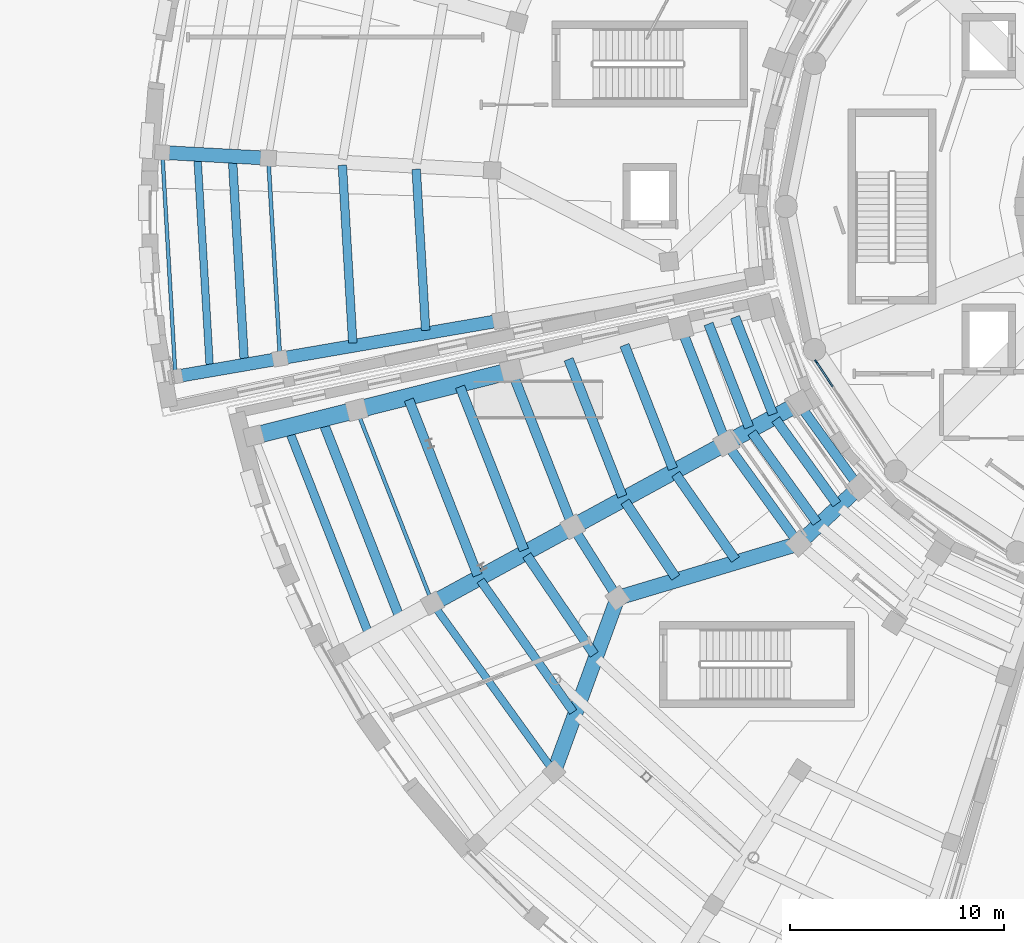
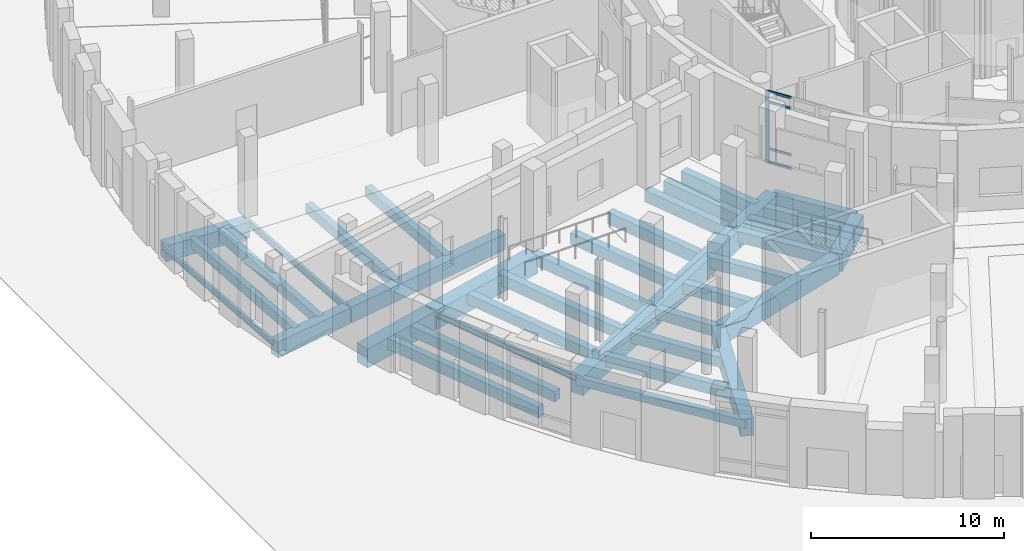
# One storey, part 11 of 74: 38 beams, 5 members, 1 element without a shape of its own.
"""IFC4 building model written with IfcOpenShell, lengths in metres."""

from ifc_helpers import new_model, si_unit, direction, frame, origin, origin_2d, place, context, subcontext, project, spatial, rectangle, i_section, extrude, material, material_profile, profile_set, type_object, element, aggregate, save


model = new_model("IFC4")

# Units and contexts
model_context = context("Model", 3, precision=1e-05, world=origin(), true_north=direction((0.0, 1.0)))
body_context = subcontext(model_context, "Body", "Model", "MODEL_VIEW")
ifc_project = project(units=[si_unit("LENGTHUNIT", "METRE"), si_unit("AREAUNIT", "SQUARE_METRE"), si_unit("VOLUMEUNIT", "CUBIC_METRE"), si_unit("PLANEANGLEUNIT", "RADIAN"), si_unit("MASSUNIT", "GRAM", prefix="KILO")], contexts=[model_context])

# Site, building, storey
site_placement = place(None, origin())
site = spatial("IfcSite", under=ifc_project, at=site_placement, CompositionType="ELEMENT")
building_placement = place(site_placement, origin())
building = spatial("IfcBuilding", under=site, at=building_placement, Name="Soyqirgoq Riverine Aquarium", CompositionType="ELEMENT")
storey_placement = place(building_placement, origin())
storey = spatial("IfcBuildingStorey", under=building, at=storey_placement, Name="L01", CompositionType="ELEMENT", Elevation=0.0)

# Beams
ifc_material_1 = material(Name="Concrete C40/50", Category="concrete")
ifc_material_profile_1 = material_profile(ifc_material_1, rectangle(XDim=0.35009765625, YDim=0.60009765625, at=origin_2d()), Name="RC 350x600")
ifc_profile_set_1 = profile_set([ifc_material_profile_1], Name="Concrete C40/50")
beam_type_1 = type_object("IfcBeamType", Name="Beam_RC_350x600", PredefinedType="JOIST", material=ifc_profile_set_1)
beam_1_placement = place(storey_placement, frame((11.107421875, 59.2919921875, -0.64990234375), z_axis=(0.05843353291, -0.99829130129, 0.0), x_axis=(0.99829130129, 0.05843353291, 0.0)))
element("IfcBeam", 1, at=beam_1_placement, inside=storey, type_object=beam_type_1, Name="V3 L01 Secondary Floor Joist 0353", PredefinedType="JOIST", context=body_context, shape_type="SweptSolid", body=[
    extrude(rectangle(XDim=0.35009765625, YDim=0.60009765625, at=origin_2d()), origin(), (0.0, 0.0, 1.0), 9.82275390625),
])
ifc_material_2 = material(Name="Concrete C40/50", Category="concrete")
ifc_material_profile_2 = material_profile(ifc_material_2, rectangle(XDim=0.39990234375, YDim=0.60009765625, at=origin_2d()), Name="RC 400x600")
ifc_profile_set_2 = profile_set([ifc_material_profile_2], Name="Concrete C40/50")
beam_type_2 = type_object("IfcBeamType", Name="Beam_RC_400x600", PredefinedType="JOIST", material=ifc_profile_set_2)
beam_2_placement = place(storey_placement, frame((17.862548828125, 58.92626953125, -0.64990234375), z_axis=(0.058454850399, -0.998290053273, 0.0), x_axis=(0.998290053273, 0.058454850399, 0.0)))
element("IfcBeam", 2, at=beam_2_placement, inside=storey, type_object=beam_type_2, Name="V3 L01 Secondary Floor Joist 0341", PredefinedType="JOIST", context=body_context, shape_type="SweptSolid", body=[
    extrude(rectangle(XDim=0.39990234375, YDim=0.60009765625, at=origin_2d()), origin(), (0.0, 0.0, 1.0), 8.302978515625),
])
beam_3_placement = place(storey_placement, frame((12.738525390625, 59.20361328125, -0.64990234375), z_axis=(0.05845563255, -0.998290007474, 0.0), x_axis=(0.998290007474, 0.05845563255, 0.0)))
element("IfcBeam", 3, at=beam_3_placement, inside=storey, type_object=beam_type_2, Name="V3 L01 Secondary Floor Joist 0352", PredefinedType="JOIST", context=body_context, shape_type="SweptSolid", body=[
    extrude(rectangle(XDim=0.39990234375, YDim=0.60009765625, at=origin_2d()), origin(), (0.0, 0.0, 1.0), 9.45556640625),
])
ifc_material_3 = material(Name="Concrete C40/50", Category="concrete")
ifc_material_profile_3 = material_profile(ifc_material_3, rectangle(XDim=0.39990234375, YDim=0.64990234375, at=origin_2d()), Name="RC 400x650")
ifc_profile_set_3 = profile_set([ifc_material_profile_3], Name="Concrete C40/50")
beam_type_3 = type_object("IfcBeamType", Name="Beam_RC_400x650", PredefinedType="BEAM", material=ifc_profile_set_3)
beam_4_placement = place(storey_placement, frame((21.305908203125, 58.73974609375, -0.675048828125), z_axis=(0.058472972922, -0.998288991945, 0.0), x_axis=(0.998288991945, 0.058472972922, 0.0)))
element("IfcBeam", 4, at=beam_4_placement, inside=storey, type_object=beam_type_3, Name="V3 L01 Secondary Floor Joist 0340", PredefinedType="BEAM", context=body_context, shape_type="SweptSolid", body=[
    extrude(rectangle(XDim=0.39990234375, YDim=0.64990234375, at=origin_2d()), origin(), (0.0, 0.0, 1.0), 7.528076171875),
])
ifc_material_4 = material(Name="Concrete C40/50", Category="concrete")
ifc_material_profile_4 = material_profile(ifc_material_4, rectangle(XDim=0.39990234375, YDim=0.699951171875, at=origin_2d()), Name="RC 400x700")
ifc_profile_set_4 = profile_set([ifc_material_profile_4], Name="Concrete C40/50")
beam_type_4 = type_object("IfcBeamType", Name="Beam_RC_400x700", PredefinedType="BEAM", material=ifc_profile_set_4)
beam_5_placement = place(storey_placement, frame((24.30517578125, 39.56103515625, -0.699951171875), z_axis=(0.576465973635, -0.817121154567, 0.0), x_axis=(0.817121154567, 0.576465973635, 0.0)))
element("IfcBeam", 5, at=beam_5_placement, inside=storey, type_object=beam_type_4, Name="V2 L01 Secondary Floor Joist 0215", PredefinedType="BEAM", context=body_context, shape_type="SweptSolid", body=[
    extrude(rectangle(XDim=0.39990234375, YDim=0.699951171875, at=origin_2d()), origin(), (0.0, 0.0, 1.0), 7.502197265625),
])
beam_6_placement = place(storey_placement, frame((15.366943359375, 46.574951171875, -0.699951171875), z_axis=(0.364865878453, -0.931060089758, 0.0), x_axis=(0.931060089758, 0.364865878453, 0.0)))
element("IfcBeam", 6, at=beam_6_placement, inside=storey, type_object=beam_type_4, Name="V2 L01 Secondary Floor Joist 0225", PredefinedType="BEAM", context=body_context, shape_type="SweptSolid", body=[
    extrude(rectangle(XDim=0.39990234375, YDim=0.699951171875, at=origin_2d()), origin(), (0.0, 0.0, 1.0), 10.239501953125),
])
ifc_material_5 = material(Name="Concrete C40/50", Category="concrete")
ifc_material_profile_5 = material_profile(ifc_material_5, rectangle(XDim=0.449951171875, YDim=0.64990234375, at=origin_2d()), Name="RC 450x650")
ifc_profile_set_5 = profile_set([ifc_material_profile_5], Name="Concrete C40/50")
beam_type_5 = type_object("IfcBeamType", Name="Beam_RC_450x650", PredefinedType="BEAM", material=ifc_profile_set_5)
beam_7_placement = place(storey_placement, frame((31.0458984375, 43.23583984375, -0.675048828125), z_axis=(0.555071349351, -0.831802739314, 0.0), x_axis=(0.831802739314, 0.555071349351, 0.0)))
element("IfcBeam", 7, at=beam_7_placement, inside=storey, type_object=beam_type_5, Name="V2 L01 Secondary Floor Joist 0208", PredefinedType="BEAM", context=body_context, shape_type="SweptSolid", body=[
    extrude(rectangle(XDim=0.449951171875, YDim=0.64990234375, at=origin_2d()), origin(), (0.0, 0.0, 1.0), 4.249755859375),
])
beam_8_placement = place(storey_placement, frame((28.633544921875, 42.0224609375, -0.675048828125), z_axis=(0.532881102814, -0.846190126546, 0.0), x_axis=(0.846190126546, 0.532881102814, 0.0)))
element("IfcBeam", 8, at=beam_8_placement, inside=storey, type_object=beam_type_5, Name="V2 L01 Wedge Chord Beam 0210", PredefinedType="BEAM", context=body_context, shape_type="SweptSolid", body=[
    extrude(rectangle(XDim=0.449951171875, YDim=0.64990234375, at=origin_2d()), origin(), (0.0, 0.0, 1.0), 3.818359375),
])
beam_9_placement = place(storey_placement, frame((20.96533203125, 47.99169921875, -0.675048828125), z_axis=(0.364879879553, -0.931054602855, 0.0), x_axis=(0.931054602855, 0.364879879553, 0.0)))
element("IfcBeam", 9, at=beam_9_placement, inside=storey, type_object=beam_type_5, Name="V2 L01 Secondary Floor Joist 0213", PredefinedType="BEAM", context=body_context, shape_type="SweptSolid", body=[
    extrude(rectangle(XDim=0.449951171875, YDim=0.64990234375, at=origin_2d()), origin(), (0.0, 0.0, 1.0), 8.7919921875),
])
beam_10_placement = place(storey_placement, frame((26.461669921875, 40.736572265625, -0.675048828125), z_axis=(0.562326724131, -0.826915143971, 0.0), x_axis=(0.826915143971, 0.562326724131, 0.0)))
element("IfcBeam", 10, at=beam_10_placement, inside=storey, type_object=beam_type_5, Name="V2 L01 Secondary Floor Joist 0214", PredefinedType="BEAM", context=body_context, shape_type="SweptSolid", body=[
    extrude(rectangle(XDim=0.449951171875, YDim=0.64990234375, at=origin_2d()), origin(), (0.0, 0.0, 1.0), 5.59716796875),
])
beam_11_placement = place(storey_placement, frame((16.950439453125, 46.9755859375, -0.675048828125), z_axis=(0.36486846203, -0.931059077296, 0.0), x_axis=(0.931059077296, 0.36486846203, 0.0)))
element("IfcBeam", 11, at=beam_11_placement, inside=storey, type_object=beam_type_5, Name="V2 L01 Secondary Floor Joist 0224", PredefinedType="BEAM", context=body_context, shape_type="SweptSolid", body=[
    extrude(rectangle(XDim=0.449951171875, YDim=0.64990234375, at=origin_2d()), origin(), (0.0, 0.0, 1.0), 9.830078125),
])
ifc_material_6 = material(Name="Concrete C40/50", Category="concrete")
ifc_material_profile_6 = material_profile(ifc_material_6, rectangle(XDim=0.449951171875, YDim=0.699951171875, at=origin_2d()), Name="RC 450x700")
ifc_profile_set_6 = profile_set([ifc_material_profile_6], Name="Concrete C40/50")
beam_type_6 = type_object("IfcBeamType", Name="Beam_RC_450x700", PredefinedType="BEAM", material=ifc_profile_set_6)
beam_12_placement = place(storey_placement, frame((36.9599609375, 46.460693359375, -0.699951171875), z_axis=(0.584946555883, -0.811071838224, 0.0), x_axis=(0.811071838224, 0.584946555883, 0.0)))
element("IfcBeam", 12, at=beam_12_placement, inside=storey, type_object=beam_type_6, Name="V2 L01 Secondary Floor Joist 0196", PredefinedType="BEAM", context=body_context, shape_type="SweptSolid", body=[
    extrude(rectangle(XDim=0.449951171875, YDim=0.699951171875, at=origin_2d()), origin(), (0.0, 0.0, 1.0), 5.17919921875),
])
beam_13_placement = place(storey_placement, frame((35.791748046875, 45.925537109375, -0.699951171875), z_axis=(0.584966063461, -0.811057768965, 0.0), x_axis=(0.811057768965, 0.584966063461, 0.0)))
element("IfcBeam", 13, at=beam_13_placement, inside=storey, type_object=beam_type_6, Name="V2 L01 Wedge Chord Beam 0202", PredefinedType="BEAM", context=body_context, shape_type="SweptSolid", body=[
    extrude(rectangle(XDim=0.449951171875, YDim=0.699951171875, at=origin_2d()), origin(), (0.0, 0.0, 1.0), 5.677734375),
])
beam_14_placement = place(storey_placement, frame((28.41162109375, 49.875732421875, -0.699951171875), z_axis=(0.364902021322, -0.931045925202, 0.0), x_axis=(0.931045925202, 0.364902021322, 0.0)))
element("IfcBeam", 14, at=beam_14_placement, inside=storey, type_object=beam_type_6, Name="V2 L01 Secondary Floor Joist 0206", PredefinedType="BEAM", context=body_context, shape_type="SweptSolid", body=[
    extrude(rectangle(XDim=0.449951171875, YDim=0.699951171875, at=origin_2d()), origin(), (0.0, 0.0, 1.0), 6.866455078125),
])
beam_15_placement = place(storey_placement, frame((33.40966796875, 44.52490234375, -0.699951171875), z_axis=(0.57169232569, -0.820468088805, 0.0), x_axis=(0.820468088805, 0.57169232569, 0.0)))
element("IfcBeam", 15, at=beam_15_placement, inside=storey, type_object=beam_type_6, Name="V2 L01 Secondary Floor Joist 0207", PredefinedType="BEAM", context=body_context, shape_type="SweptSolid", body=[
    extrude(rectangle(XDim=0.449951171875, YDim=0.699951171875, at=origin_2d()), origin(), (0.0, 0.0, 1.0), 4.86376953125),
])
beam_16_placement = place(storey_placement, frame((25.771484375, 49.2998046875, -0.699951171875), z_axis=(0.364877403225, -0.931055573323, 0.0), x_axis=(0.931055573323, 0.364877403225, 0.0)))
element("IfcBeam", 16, at=beam_16_placement, inside=storey, type_object=beam_type_6, Name="V2 L01 Wedge Chord Beam 0209", PredefinedType="BEAM", context=body_context, shape_type="SweptSolid", body=[
    extrude(rectangle(XDim=0.449951171875, YDim=0.699951171875, at=origin_2d()), origin(), (0.0, 0.0, 1.0), 7.720703125),
])
beam_17_placement = place(storey_placement, frame((23.348876953125, 48.5947265625, -0.699951171875), z_axis=(0.364853059796, -0.93106511306, 0.0), x_axis=(0.93106511306, 0.364853059796, 0.0)))
element("IfcBeam", 17, at=beam_17_placement, inside=storey, type_object=beam_type_6, Name="V2 L01 Secondary Floor Joist 0212", PredefinedType="BEAM", context=body_context, shape_type="SweptSolid", body=[
    extrude(rectangle(XDim=0.449951171875, YDim=0.699951171875, at=origin_2d()), origin(), (0.0, 0.0, 1.0), 8.175537109375),
])
ifc_material_7 = material(Name="Concrete C40/50", Category="concrete")
ifc_material_profile_7 = material_profile(ifc_material_7, rectangle(XDim=0.449951171875, YDim=0.75, at=origin_2d()), Name="RC 450x750")
ifc_profile_set_7 = profile_set([ifc_material_profile_7], Name="Concrete C40/50")
beam_type_7 = type_object("IfcBeamType", Name="Beam_RC_450x750", PredefinedType="BEAM", material=ifc_profile_set_7)
beam_18_placement = place(storey_placement, frame((39.171875, 47.7685546875, -0.72509765625), z_axis=(0.584975964064, -0.811050628178, 0.0), x_axis=(0.811050628178, 0.584975964064, 0.0)))
element("IfcBeam", 18, at=beam_18_placement, inside=storey, type_object=beam_type_7, Name="V2 L01 Wedge Chord Beam 0190", PredefinedType="BEAM", context=body_context, shape_type="SweptSolid", body=[
    extrude(rectangle(XDim=0.449951171875, YDim=0.75, at=origin_2d()), origin(), (0.0, 0.0, 1.0), 4.712646484375),
])
beam_19_placement = place(storey_placement, frame((34.93701171875, 51.527099609375, -0.72509765625), z_axis=(0.364872042506, -0.931057674152, 0.0), x_axis=(0.931057674152, 0.364872042506, 0.0)))
element("IfcBeam", 19, at=beam_19_placement, inside=storey, type_object=beam_type_7, Name="V2 L01 Secondary Floor Joist 0194", PredefinedType="BEAM", context=body_context, shape_type="SweptSolid", body=[
    extrude(rectangle(XDim=0.449951171875, YDim=0.75, at=origin_2d()), origin(), (0.0, 0.0, 1.0), 5.1796875),
])
beam_20_placement = place(storey_placement, frame((38.0751953125, 47.069091796875, -0.72509765625), z_axis=(0.584956811671, -0.811064441632, 0.0), x_axis=(0.811064441632, 0.584956811671, 0.0)))
element("IfcBeam", 20, at=beam_20_placement, inside=storey, type_object=beam_type_7, Name="V2 L01 Secondary Floor Joist 0195", PredefinedType="BEAM", context=body_context, shape_type="SweptSolid", body=[
    extrude(rectangle(XDim=0.449951171875, YDim=0.75, at=origin_2d()), origin(), (0.0, 0.0, 1.0), 4.861083984375),
])
beam_21_placement = place(storey_placement, frame((33.672607421875, 51.299072265625, -0.72509765625), z_axis=(0.364887298989, -0.931051695147, 0.0), x_axis=(0.931051695147, 0.364887298989, 0.0)))
element("IfcBeam", 21, at=beam_21_placement, inside=storey, type_object=beam_type_7, Name="V2 L01 Wedge Chord Beam 0201", PredefinedType="BEAM", context=body_context, shape_type="SweptSolid", body=[
    extrude(rectangle(XDim=0.449951171875, YDim=0.75, at=origin_2d()), origin(), (0.0, 0.0, 1.0), 5.677734375),
])
beam_22_placement = place(storey_placement, frame((31.01904296875, 50.53564453125, -0.72509765625), z_axis=(0.364876470014, -0.931055939044, 0.0), x_axis=(0.931055939044, 0.364876470014, 0.0)))
element("IfcBeam", 22, at=beam_22_placement, inside=storey, type_object=beam_type_7, Name="V2 L01 Secondary Floor Joist 0205", PredefinedType="BEAM", context=body_context, shape_type="SweptSolid", body=[
    extrude(rectangle(XDim=0.449951171875, YDim=0.75, at=origin_2d()), origin(), (0.0, 0.0, 1.0), 6.192626953125),
])
ifc_material_8 = material(Name="Concrete C40/50", Category="concrete")
ifc_material_profile_8 = material_profile(ifc_material_8, rectangle(XDim=0.449951171875, YDim=0.800048828125, at=origin_2d()), Name="RC 450x800")
ifc_profile_set_8 = profile_set([ifc_material_profile_8], Name="Concrete C40/50")
beam_type_8 = type_object("IfcBeamType", Name="Beam_RC_450x800", PredefinedType="BEAM", material=ifc_profile_set_8)
beam_23_placement = place(storey_placement, frame((36.168701171875, 51.838623046875, -0.75), z_axis=(0.364895468733, -0.931048493312, 0.0), x_axis=(0.931048493312, 0.364895468733, 0.0)))
element("IfcBeam", 23, at=beam_23_placement, inside=storey, type_object=beam_type_8, Name="V2 L01 Secondary Floor Joist 0193", PredefinedType="BEAM", context=body_context, shape_type="SweptSolid", body=[
    extrude(rectangle(XDim=0.449951171875, YDim=0.800048828125, at=origin_2d()), origin(), (0.0, 0.0, 1.0), 4.86083984375),
])

# Curtain wall, members
ifc_material_9 = material(Name="Anodised aluminium thermally broken triple low-E glazing", Category="aluminium")
curtain_wall_type = type_object("IfcCurtainWallType", Name="CW_DrumGallery_Unitised", PredefinedType="NOTDEFINED", material=ifc_material_9)
curtain_wall_placement = place(storey_placement, origin())
curtain_wall = element("IfcCurtainWall", 24, at=curtain_wall_placement, inside=storey, type_object=curtain_wall_type, Name="V1 L01 Curtain Wall 034", PredefinedType="NOTDEFINED")
ifc_material_10 = material(Name="Anodised aluminium 6063-T6", Category="aluminium")
ifc_material_profile_9 = material_profile(ifc_material_10, rectangle(XDim=0.080078125, YDim=0.219970703125, at=origin_2d()), Name="ALU-M 80x220")
ifc_profile_set_9 = profile_set([ifc_material_profile_9], Name="Anodised aluminium 6063-T6")
member_type_1 = type_object("IfcMemberType", Name="CWMullion_80x220", PredefinedType="MULLION", material=ifc_profile_set_9)
member_1_placement = place(storey_placement, frame((39.966796875, 49.74853515625, 0.0), z_axis=(0.0, 0.0, 1.0), x_axis=(0.831467275509, 0.555573730262, 0.0)))
member_1 = element("IfcMember", 25, at=member_1_placement, type_object=member_type_1, Name="CW-01 mullion 1", PredefinedType="MULLION", context=body_context, shape_type="SweptSolid", body=[
    extrude(rectangle(XDim=0.080078125, YDim=0.219970703125, at=origin_2d()), origin(), (0.0, 0.0, 1.0), 4.550048828125),
])
ifc_material_11 = material(Name="Anodised aluminium 6063-T6", Category="aluminium")
ifc_material_profile_10 = material_profile(ifc_material_11, rectangle(XDim=0.074951171875, YDim=0.14990234375, at=origin_2d()), Name="ALU-T 75x150")
ifc_profile_set_10 = profile_set([ifc_material_profile_10], Name="Anodised aluminium 6063-T6")
member_type_2 = type_object("IfcMemberType", Name="CWTransom_75x150", PredefinedType="USERDEFINED", material=ifc_profile_set_10)
member_2_placement = place(storey_placement, frame((39.989013671875, 49.715087890625, 0.03759765625), z_axis=(0.555583520837, -0.831460733513, 0.0), x_axis=(0.831460733513, 0.555583520837, 0.0)))
member_2 = element("IfcMember", 26, at=member_2_placement, type_object=member_type_2, Name="CW-01 transom 1.1", ObjectType="TRANSOM", PredefinedType="USERDEFINED", context=body_context, shape_type="SweptSolid", body=[
    extrude(rectangle(XDim=0.074951171875, YDim=0.14990234375, at=origin_2d()), origin(), (0.0, 0.0, 1.0), 1.3388671875),
])
member_3_placement = place(storey_placement, frame((39.989013671875, 49.715087890625, 0.89990234375), z_axis=(0.555583520837, -0.831460733513, 0.0), x_axis=(0.831460733513, 0.555583520837, 0.0)))
member_3 = element("IfcMember", 27, at=member_3_placement, type_object=member_type_2, Name="CW-01 transom 1.2", ObjectType="TRANSOM", PredefinedType="USERDEFINED", context=body_context, shape_type="SweptSolid", body=[
    extrude(rectangle(XDim=0.074951171875, YDim=0.14990234375, at=origin_2d()), origin(), (0.0, 0.0, 1.0), 1.3388671875),
])
member_4_placement = place(storey_placement, frame((39.989013671875, 49.715087890625, 3.85009765625), z_axis=(0.555583520837, -0.831460733513, 0.0), x_axis=(0.831460733513, 0.555583520837, 0.0)))
member_4 = element("IfcMember", 28, at=member_4_placement, type_object=member_type_2, Name="CW-01 transom 1.3", ObjectType="TRANSOM", PredefinedType="USERDEFINED", context=body_context, shape_type="SweptSolid", body=[
    extrude(rectangle(XDim=0.074951171875, YDim=0.14990234375, at=origin_2d()), origin(), (0.0, 0.0, 1.0), 1.3388671875),
])
member_5_placement = place(storey_placement, frame((39.989013671875, 49.715087890625, 4.512451171875), z_axis=(0.555583520837, -0.831460733513, 0.0), x_axis=(0.831460733513, 0.555583520837, 0.0)))
member_5 = element("IfcMember", 29, at=member_5_placement, type_object=member_type_2, Name="CW-01 transom 1.4", ObjectType="TRANSOM", PredefinedType="USERDEFINED", context=body_context, shape_type="SweptSolid", body=[
    extrude(rectangle(XDim=0.074951171875, YDim=0.14990234375, at=origin_2d()), origin(), (0.0, 0.0, 1.0), 1.3388671875),
])
aggregate(curtain_wall, [member_1, member_2, member_3, member_4, member_5])

# Beams
ifc_material_12 = material(Name="Concrete C40/50", Category="concrete")
ifc_material_profile_11 = material_profile(ifc_material_12, rectangle(XDim=0.60009765625, YDim=1.0, at=origin_2d()), Name="RC 600x1000")
ifc_profile_set_11 = profile_set([ifc_material_profile_11], Name="Concrete C40/50")
beam_type_9 = type_object("IfcBeamType", Name="Girder_RC_600x1000", PredefinedType="BEAM", material=ifc_profile_set_11)
beam_24_placement = place(storey_placement, frame((25.2060546875, 51.680908203125, -0.85009765625), z_axis=(-0.985407089182, -0.170214184453, 0.0), x_axis=(0.170214184453, -0.985407089182, 0.0)))
element("IfcBeam", 30, at=beam_24_placement, inside=storey, type_object=beam_type_9, Name="V3 L01 Wedge Radial Girder 0319", PredefinedType="BEAM", context=body_context, shape_type="SweptSolid", body=[
    extrude(rectangle(XDim=0.60009765625, YDim=1.0, at=origin_2d()), origin(), (0.0, 0.0, 1.0), 10.35009765625),
])
beam_25_placement = place(storey_placement, frame((14.908447265625, 49.90234375, -0.85009765625), z_axis=(-0.985401055324, -0.170249112087, 0.0), x_axis=(0.170249112087, -0.985401055324, 0.0)))
element("IfcBeam", 31, at=beam_25_placement, inside=storey, type_object=beam_type_9, Name="V3 L01 Wedge Radial Girder 0320", PredefinedType="BEAM", context=body_context, shape_type="SweptSolid", body=[
    extrude(rectangle(XDim=0.60009765625, YDim=1.0, at=origin_2d()), origin(), (0.0, 0.0, 1.0), 4.849853515625),
])
ifc_material_13 = material(Name="Concrete C40/50", Category="concrete")
ifc_material_profile_12 = material_profile(ifc_material_13, rectangle(XDim=0.64990234375, YDim=1.0, at=origin_2d()), Name="RC 650x1000")
ifc_profile_set_12 = profile_set([ifc_material_profile_12], Name="Concrete C40/50")
beam_type_10 = type_object("IfcBeamType", Name="Girder_RC_650x1000", PredefinedType="BEAM", material=ifc_profile_set_12)
beam_26_placement = place(storey_placement, frame((14.361083984375, 59.255126953125, -0.85009765625), z_axis=(-0.998537576749, 0.054062073773, 0.0), x_axis=(-0.054062073773, -0.998537576749, 0.0)))
element("IfcBeam", 32, at=beam_26_placement, inside=storey, type_object=beam_type_10, Name="V3 L01 Wedge Radial Girder 0317", PredefinedType="BEAM", context=body_context, shape_type="SweptSolid", body=[
    extrude(rectangle(XDim=0.64990234375, YDim=1.0, at=origin_2d()), origin(), (0.0, 0.0, 1.0), 4.85009765625),
])
ifc_material_14 = material(Name="Concrete C40/50", Category="concrete")
ifc_material_profile_13 = material_profile(ifc_material_14, rectangle(XDim=0.699951171875, YDim=1.10009765625, at=origin_2d()), Name="RC 700x1100")
ifc_profile_set_13 = profile_set([ifc_material_profile_13], Name="Concrete C40/50")
beam_type_11 = type_object("IfcBeamType", Name="Girder_RC_700x1100", PredefinedType="BEAM", material=ifc_profile_set_13)
beam_27_placement = place(storey_placement, frame((41.92138671875, 43.87158203125, -0.89990234375), z_axis=(-0.731319343067, -0.682035203238, 0.0), x_axis=(0.682035203238, -0.731319343067, 0.0)))
element("IfcBeam", 33, at=beam_27_placement, inside=storey, type_object=beam_type_11, Name="V2 L01 Wedge Radial Girder 0178", PredefinedType="BEAM", context=body_context, shape_type="SweptSolid", body=[
    extrude(rectangle(XDim=0.699951171875, YDim=1.10009765625, at=origin_2d()), origin(), (0.0, 0.0, 1.0), 3.75),
])
beam_28_placement = place(storey_placement, frame((39.094482421875, 41.265625, -0.89990234375), z_axis=(-0.957939505525, -0.286970214055, 0.0), x_axis=(0.286970214055, -0.957939505525, 0.0)))
element("IfcBeam", 34, at=beam_28_placement, inside=storey, type_object=beam_type_11, Name="V2 L01 Wedge Radial Girder 0179", PredefinedType="BEAM", context=body_context, shape_type="SweptSolid", body=[
    extrude(rectangle(XDim=0.699951171875, YDim=1.10009765625, at=origin_2d()), origin(), (0.0, 0.0, 1.0), 8.718505859375),
])
beam_29_placement = place(storey_placement, frame((30.677490234375, 38.702392578125, -0.89990234375), z_axis=(-0.343045372919, -0.939318834113, 0.0), x_axis=(0.939318834113, -0.343045372919, 0.0)))
element("IfcBeam", 35, at=beam_29_placement, inside=storey, type_object=beam_type_11, Name="V2 L01 Wedge Radial Girder 0180", PredefinedType="BEAM", context=body_context, shape_type="SweptSolid", body=[
    extrude(rectangle(XDim=0.699951171875, YDim=1.10009765625, at=origin_2d()), origin(), (0.0, 0.0, 1.0), 8.532470703125),
])
ifc_material_15 = material(Name="Concrete C40/50", Category="concrete")
ifc_material_profile_14 = material_profile(ifc_material_15, rectangle(XDim=0.75, YDim=1.199951171875, at=origin_2d()), Name="RC 750x1200")
ifc_profile_set_14 = profile_set([ifc_material_profile_14], Name="Concrete C40/50")
beam_type_12 = type_object("IfcBeamType", Name="Girder_RC_750x1200", PredefinedType="BEAM", material=ifc_profile_set_14)
beam_30_placement = place(storey_placement, frame((39.098876953125, 47.78515625, -0.949951171875), z_axis=(-0.8779776643, -0.47870159911, 0.0), x_axis=(0.47870159911, -0.8779776643, 0.0)))
element("IfcBeam", 36, at=beam_30_placement, inside=storey, type_object=beam_type_12, Name="V2 L01 Wedge Radial Girder 0174", PredefinedType="BEAM", context=body_context, shape_type="SweptSolid", body=[
    extrude(rectangle(XDim=0.75, YDim=1.199951171875, at=origin_2d()), origin(), (0.0, 0.0, 1.0), 3.75),
])
beam_31_placement = place(storey_placement, frame((35.718505859375, 45.9423828125, -0.949951171875), z_axis=(-0.877963946738, -0.478726757376, 0.0), x_axis=(0.478726757376, -0.877963946738, 0.0)))
element("IfcBeam", 37, at=beam_31_placement, inside=storey, type_object=beam_type_12, Name="V2 L01 Wedge Radial Girder 0175", PredefinedType="BEAM", context=body_context, shape_type="SweptSolid", body=[
    extrude(rectangle(XDim=0.75, YDim=1.199951171875, at=origin_2d()), origin(), (0.0, 0.0, 1.0), 8.050048828125),
])
beam_32_placement = place(storey_placement, frame((28.56298828125, 42.041015625, -0.949951171875), z_axis=(-0.877971726442, -0.478712489463, 0.0), x_axis=(0.478712489463, -0.877971726442, 0.0)))
element("IfcBeam", 38, at=beam_32_placement, inside=storey, type_object=beam_type_12, Name="V2 L01 Wedge Radial Girder 0176", PredefinedType="BEAM", context=body_context, shape_type="SweptSolid", body=[
    extrude(rectangle(XDim=0.75, YDim=1.199951171875, at=origin_2d()), origin(), (0.0, 0.0, 1.0), 7.35009765625),
])
ifc_material_16 = material(Name="Concrete C40/50", Category="concrete")
ifc_material_profile_15 = material_profile(ifc_material_16, rectangle(XDim=0.800048828125, YDim=1.199951171875, at=origin_2d()), Name="RC 800x1200")
ifc_profile_set_15 = profile_set([ifc_material_profile_15], Name="Concrete C40/50")
beam_type_13 = type_object("IfcBeamType", Name="Girder_RC_800x1200", PredefinedType="BEAM", material=ifc_profile_set_15)
beam_33_placement = place(storey_placement, frame((25.704833984375, 49.333984375, -0.949951171875), z_axis=(-0.969454775879, -0.245270131744, 0.0), x_axis=(0.245270131744, -0.969454775879, 0.0)))
element("IfcBeam", 39, at=beam_33_placement, inside=storey, type_object=beam_type_13, Name="V2 L01 Wedge Radial Girder 0172", PredefinedType="BEAM", context=body_context, shape_type="SweptSolid", body=[
    extrude(rectangle(XDim=0.800048828125, YDim=1.199951171875, at=origin_2d()), origin(), (0.0, 0.0, 1.0), 7.35009765625),
])
beam_34_placement = place(storey_placement, frame((18.482421875, 47.506591796875, -0.949951171875), z_axis=(-0.96944562709, -0.245306290415, 0.0), x_axis=(0.245306290415, -0.96944562709, 0.0)))
element("IfcBeam", 40, at=beam_34_placement, inside=storey, type_object=beam_type_13, Name="V2 L01 Wedge Radial Girder 0173", PredefinedType="BEAM", context=body_context, shape_type="SweptSolid", body=[
    extrude(rectangle(XDim=0.800048828125, YDim=1.199951171875, at=origin_2d()), origin(), (0.0, 0.0, 1.0), 4.849853515625),
])
ifc_material_17 = material(Name="Concrete C40/50", Category="concrete")
ifc_material_profile_16 = material_profile(ifc_material_17, rectangle(XDim=0.35009765625, YDim=0.5, at=origin_2d()), Name="RC 350x500")
ifc_profile_set_16 = profile_set([ifc_material_profile_16], Name="Concrete C40/50")
beam_type_14 = type_object("IfcBeamType", Name="Spandrel_RC_350x500", PredefinedType="SPANDREL", material=ifc_profile_set_16)
beam_35_placement = place(storey_placement, frame((22.09521484375, 38.4580078125, -0.60009765625), z_axis=(0.584972613357, -0.811053044888, 0.0), x_axis=(0.811053044888, 0.584972613357, 0.0)))
element("IfcBeam", 41, at=beam_35_placement, inside=storey, type_object=beam_type_14, Name="V2 L01 Wedge Chord Beam 0221", PredefinedType="SPANDREL", context=body_context, shape_type="SweptSolid", body=[
    extrude(rectangle(XDim=0.35009765625, YDim=0.5, at=origin_2d()), origin(), (0.0, 0.0, 1.0), 9.58837890625),
])
ifc_material_18 = material(Name="Structural steel S355", Category="steel")
ifc_material_profile_17 = material_profile(ifc_material_18, i_section(OverallWidth=0.169921875, OverallDepth=0.360107421875, WebThickness=0.008056640625, FlangeThickness=0.0126953125, FilletRadius=0.01806640625, at=origin_2d()), Name="IPE 360")
ifc_profile_set_17 = profile_set([ifc_material_profile_17], Name="Structural steel S355")
beam_type_15 = type_object("IfcBeamType", Name="Spandrel_Steel_IPE360", PredefinedType="SPANDREL", material=ifc_profile_set_17)
beam_36_placement = place(storey_placement, frame((18.549072265625, 47.472412109375, -0.530029296875), z_axis=(0.364897560779, -0.931047673397, 0.0), x_axis=(0.931047673397, 0.364897560779, 0.0)))
element("IfcBeam", 42, at=beam_36_placement, inside=storey, type_object=beam_type_15, Name="V2 L01 Wedge Chord Beam 0220", PredefinedType="SPANDREL", context=body_context, shape_type="SweptSolid", body=[
    extrude(i_section(OverallWidth=0.169921875, OverallDepth=0.360107421875, WebThickness=0.008056640625, FlangeThickness=0.0126953125, FilletRadius=0.01806640625, at=origin_2d()), origin(), (0.0, 0.0, 1.0), 9.58837890625),
])
beam_37_placement = place(storey_placement, frame((9.47119140625, 59.47021484375, -0.530029296875), z_axis=(0.05843495127, -0.998291218268, 0.0), x_axis=(0.998291218268, 0.05843495127, 0.0)))
element("IfcBeam", 43, at=beam_37_placement, inside=storey, type_object=beam_type_15, Name="V3 L01 Wedge Chord Beam 0357", PredefinedType="SPANDREL", context=body_context, shape_type="SweptSolid", body=[
    extrude(i_section(OverallWidth=0.169921875, OverallDepth=0.360107421875, WebThickness=0.008056640625, FlangeThickness=0.0126953125, FilletRadius=0.01806640625, at=origin_2d()), origin(), (0.0, 0.0, 1.0), 10.369873046875),
])
ifc_material_19 = material(Name="Structural steel S355", Category="steel")
ifc_material_profile_18 = material_profile(ifc_material_19, i_section(OverallWidth=0.179931640625, OverallDepth=0.39990234375, WebThickness=0.008544921875, FlangeThickness=0.013427734375, FilletRadius=0.02099609375, at=origin_2d()), Name="IPE 400")
ifc_profile_set_18 = profile_set([ifc_material_profile_18], Name="Structural steel S355")
beam_type_16 = type_object("IfcBeamType", Name="Spandrel_Steel_IPE400", PredefinedType="SPANDREL", material=ifc_profile_set_18)
beam_38_placement = place(storey_placement, frame((14.413818359375, 59.202392578125, -0.550048828125), z_axis=(0.058440656196, -0.998290884313, 0.0), x_axis=(0.998290884313, 0.058440656196, 0.0)))
element("IfcBeam", 44, at=beam_38_placement, inside=storey, type_object=beam_type_16, Name="V3 L01 Wedge Chord Beam 0345", PredefinedType="SPANDREL", context=body_context, shape_type="SweptSolid", body=[
    extrude(i_section(OverallWidth=0.179931640625, OverallDepth=0.39990234375, WebThickness=0.008544921875, FlangeThickness=0.013427734375, FilletRadius=0.02099609375, at=origin_2d()), origin(), (0.0, 0.0, 1.0), 9.257568359375),
])

save(model, "model.ifc")
